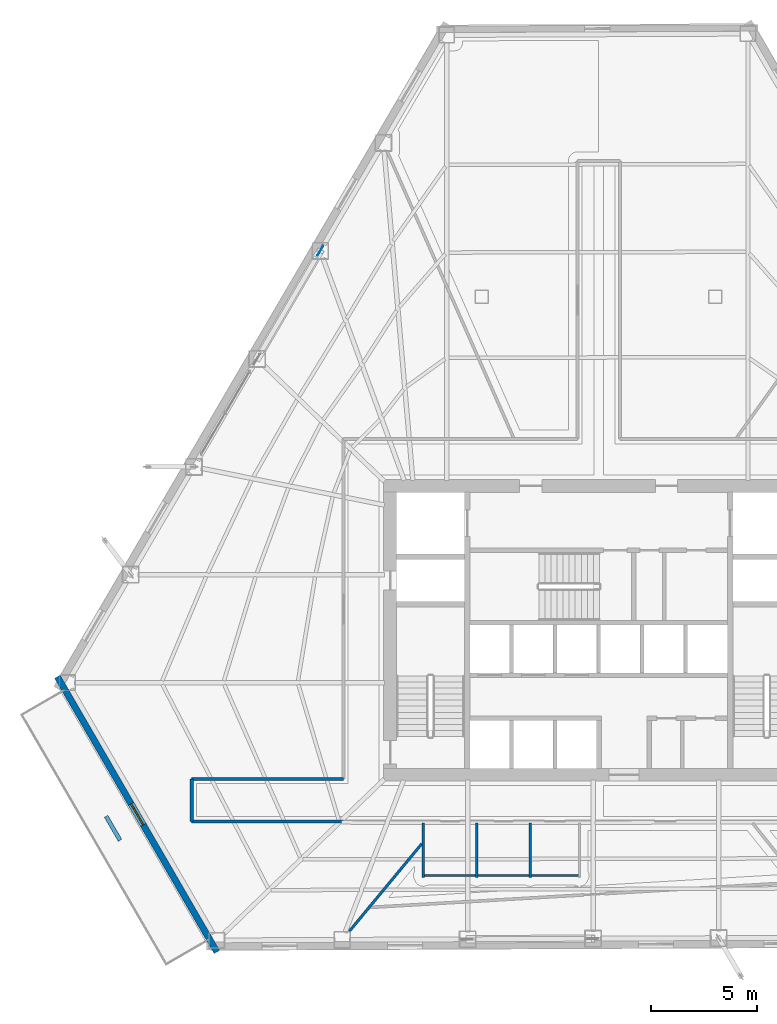
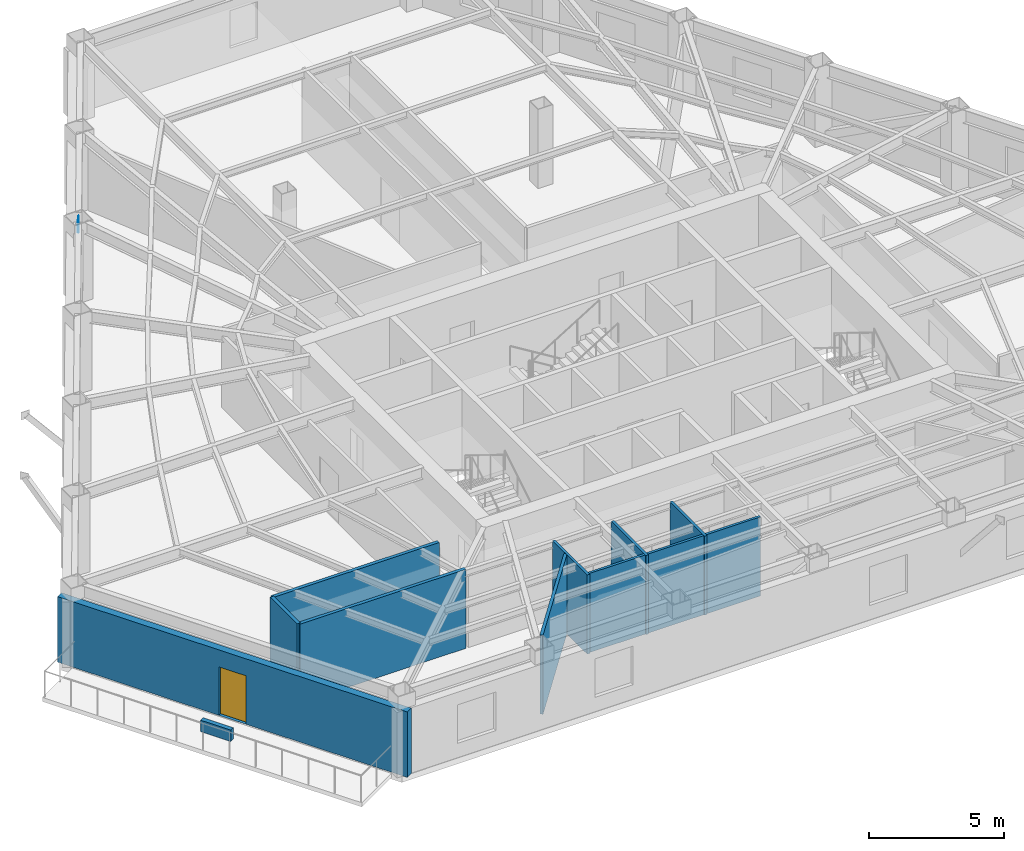
# One storey, part 8 of 15: 10 walls, 1 door, 1 plate, 1 opening.
"""IFC4 building model written with IfcOpenShell, lengths in metres."""

import ifcopenshell
import ifcopenshell.guid

model = None  # the IFC model being written
_history = None  # IfcOwnerHistory: only IFC2X3 demands one
_inside = {}  # id of a spatial element -> (the spatial element, [elements in it])
_under = {}  # id of a project, library or spatial element -> (it, [spatial elements below it])
_declared = {}  # id of a project -> (the project, [libraries it declares])
_typed = {}  # id of a type object -> (the type object, [elements of that type])
_made_of = {}  # id of a material, layer set ... -> (it, [elements and type objects made of it])


def new_model(schema):
    """Start an empty IFC model of exactly this schema.

    Asked for "IFC4X3", IfcOpenShell would pick the latest addendum, in which some entities
    have other attributes; the version numbers below select the first issue.
    IFC2X3 requires an IfcOwnerHistory on every rooted entity: one is made here for all.
    """
    global model, _history
    if schema == "IFC4X3":
        model = ifcopenshell.file(schema_version=(4, 3, 0, 0))
    else:
        model = ifcopenshell.file(schema=schema)
    _inside.clear()
    _under.clear()
    _declared.clear()
    _typed.clear()
    _made_of.clear()
    _history = None
    if model.schema == "IFC2X3":
        org = make("IfcOrganization", Name="unknown")
        user = make(
            "IfcPersonAndOrganization",
            ThePerson=make("IfcPerson", FamilyName="unknown"),
            TheOrganization=org,
        )
        app = make(
            "IfcApplication",
            ApplicationDeveloper=org,
            Version="unknown",
            ApplicationFullName="unknown",
            ApplicationIdentifier="unknown",
        )
        _history = make(
            "IfcOwnerHistory",
            OwningUser=user,
            OwningApplication=app,
            ChangeAction="ADDED",
            CreationDate=0,
        )
    return model


def make(cls, **values):
    """One entity of the class cls with the attributes given. An attribute that is None is left unset."""
    return model.create_entity(
        cls, **{name: value for name, value in values.items() if value is not None}
    )


def rooted(cls, **values):
    """An entity with a GlobalId (a new one), such as an element, a storey or a relation."""
    return make(cls, GlobalId=ifcopenshell.guid.new(), OwnerHistory=_history, **values)


def si_unit(unit_type, name, prefix=None):
    """IfcSIUnit, for example si_unit("LENGTHUNIT", "METRE", prefix="MILLI")."""
    return make("IfcSIUnit", UnitType=unit_type, Prefix=prefix, Name=name)


def assignment(units):
    """IfcUnitAssignment: the units of a project."""
    return None if units is None else make("IfcUnitAssignment", Units=units)


def point(xyz):
    """IfcCartesianPoint."""
    return None if xyz is None else make("IfcCartesianPoint", Coordinates=xyz)


def direction(xyz):
    """IfcDirection."""
    return None if xyz is None else make("IfcDirection", DirectionRatios=xyz)


def frame(location, z_axis=None, x_axis=None):
    """IfcAxis2Placement3D, a coordinate frame: its origin and axes. An axis left out is left unset."""
    return make(
        "IfcAxis2Placement3D",
        Location=point(location),
        Axis=direction(z_axis),
        RefDirection=direction(x_axis),
    )


def frame_2d(location, x_axis=None):
    """IfcAxis2Placement2D, a coordinate frame in the plane: its origin and x axis."""
    return make(
        "IfcAxis2Placement2D", Location=point(location), RefDirection=direction(x_axis)
    )


def origin():
    """The frame at (0, 0, 0) with its axes left unset."""
    return frame((0.0, 0.0, 0.0))


def origin_2d():
    """The frame at (0, 0) in the plane with its x axis left unset."""
    return frame_2d((0.0, 0.0))


def place(relative_to, where):
    """IfcLocalPlacement: puts the frame where relative to a parent placement (None: the world)."""
    return make(
        "IfcLocalPlacement", PlacementRelTo=relative_to, RelativePlacement=where
    )


def context(
    kind, dimensions, precision=None, world=None, true_north=None, identifier=None
):
    """IfcGeometricRepresentationContext, for example the 3D "Model" context."""
    return make(
        "IfcGeometricRepresentationContext",
        ContextIdentifier=identifier,
        ContextType=kind,
        CoordinateSpaceDimension=dimensions,
        Precision=precision,
        WorldCoordinateSystem=world,
        TrueNorth=true_north,
    )


def subcontext(parent, identifier, kind, view, scale=None):
    """IfcGeometricRepresentationSubContext, for example "Body" below "Model"."""
    return make(
        "IfcGeometricRepresentationSubContext",
        ContextIdentifier=identifier,
        ContextType=kind,
        ParentContext=parent,
        TargetScale=scale,
        TargetView=view,
    )


def project(units=None, contexts=None):
    """IfcProject with its units and contexts."""
    return rooted(
        "IfcProject",
        Name="project",
        RepresentationContexts=contexts,
        UnitsInContext=assignment(units),
    )


def spatial(cls, under=None, at=None, **own):
    """A site, building, storey or space (cls), placed at a placement, below another one or the project."""
    s = rooted(cls, ObjectPlacement=at, **own)
    if under is not None:
        _under.setdefault(under.id(), (under, []))[1].append(s)
    return s


def profile(cls, at=None, kind="AREA", **sizes):
    """A parametric profile (cls). Its sizes go by their IFC names, for example OverallWidth=200.0."""
    return make(cls, ProfileType=kind, Position=at, **sizes)


def rectangle(**sizes):
    """IfcRectangleProfileDef."""
    return profile("IfcRectangleProfileDef", **sizes)


def extrude(swept, where, along, depth):
    """IfcExtrudedAreaSolid: the profile swept, set in the frame where, extruded along a direction by depth."""
    return make(
        "IfcExtrudedAreaSolid",
        SweptArea=swept,
        Position=where,
        ExtrudedDirection=direction(along),
        Depth=depth,
    )


def shape(context_of_items, identifier, shape_type, items):
    """IfcShapeRepresentation: the items that make up one representation, for example the "Body"."""
    return make(
        "IfcShapeRepresentation",
        ContextOfItems=context_of_items,
        RepresentationIdentifier=identifier,
        RepresentationType=shape_type,
        Items=items,
    )


def material(Name=None, Category=None):
    """IfcMaterial."""
    return make("IfcMaterial", Name=Name, Category=Category)


def layer(
    of_material, thickness, ventilated=None, Name=None, Category=None, Priority=None
):
    """IfcMaterialLayer: one layer of a wall or slab, of a material (None: an air gap)."""
    return make(
        "IfcMaterialLayer",
        Material=of_material,
        LayerThickness=thickness,
        IsVentilated=ventilated,
        Name=Name,
        Category=Category,
        Priority=Priority,
    )


def layer_set(layers, Name=None):
    """IfcMaterialLayerSet."""
    return make("IfcMaterialLayerSet", MaterialLayers=layers, LayerSetName=Name)


def made_of(thing, what):
    """Note that an element or type object is made of a material, layer set ...; save() writes the relation."""
    if what is not None:
        _made_of.setdefault(what.id(), (what, []))[1].append(thing)
    return thing


def type_object(cls, material=None, **own):
    """A type object (cls), such as IfcWallType, which elements share."""
    return made_of(rooted(cls, **own), material)


def element(
    cls,
    number,
    at=None,
    inside=None,
    cuts=None,
    type_object=None,
    material=None,
    context=None,
    identifier="Body",
    shape_type=None,
    held_by="IfcProductDefinitionShape",
    body=None,
    shapes=None,
    **own,
):
    """One element of the class cls, such as IfcWall. Its Tag is "e" and its number.

    at: its placement. inside: the storey or other place that contains it. cuts: it is an
    opening in that element (IfcRelVoidsElement). A single representation is given by context,
    identifier, shape_type and body (its items); several are given by shapes. held_by: the class
    of the entity that holds the representations. save() writes the other relations.
    """
    e = rooted(cls, Tag="e%d" % number, ObjectPlacement=at, **own)
    if body is not None:
        shapes = [shape(context, identifier, shape_type, body)]
    if shapes is not None:
        e.Representation = make(held_by, Representations=shapes)
    if inside is not None:
        _inside.setdefault(inside.id(), (inside, []))[1].append(e)
    if cuts is not None:
        rooted(
            "IfcRelVoidsElement", RelatingBuildingElement=cuts, RelatedOpeningElement=e
        )
    if type_object is not None:
        _typed.setdefault(type_object.id(), (type_object, []))[1].append(e)
    return made_of(e, material)


def fill(opening, filler):
    """IfcRelFillsElement: the door or window that sits in an opening."""
    return rooted(
        "IfcRelFillsElement",
        RelatingOpeningElement=opening,
        RelatedBuildingElement=filler,
    )


def aggregate(whole, parts):
    """IfcRelAggregates: a whole, such as a stair, and the parts it consists of."""
    return rooted("IfcRelAggregates", RelatingObject=whole, RelatedObjects=parts)


def save(model, path):
    """Write the relations noted so far, then the file.

    IfcRelAggregates (storeys below a building ...), IfcRelContainedInSpatialStructure (elements
    in a storey), IfcRelDefinesByType, IfcRelAssociatesMaterial and IfcRelDeclares: one each for
    every whole, place, type object, material and project.
    """
    for whole, parts in _under.values():
        aggregate(whole, parts)
    for where, things in _inside.values():
        rooted(
            "IfcRelContainedInSpatialStructure",
            RelatedElements=things,
            RelatingStructure=where,
        )
    for kind, things in _typed.values():
        rooted("IfcRelDefinesByType", RelatedObjects=things, RelatingType=kind)
    for what, things in _made_of.values():
        rooted("IfcRelAssociatesMaterial", RelatedObjects=things, RelatingMaterial=what)
    for by, libraries in _declared.values():
        rooted("IfcRelDeclares", RelatingContext=by, RelatedDefinitions=libraries)
    model.write(path)


model = new_model("IFC4")

# Units and contexts
model_context = context("Model", 3, precision=1e-05, world=origin(), true_north=direction((0.0, 1.0)))
body_context = subcontext(model_context, "Body", "Model", "MODEL_VIEW")
ifc_project = project(units=[si_unit("LENGTHUNIT", "METRE"), si_unit("AREAUNIT", "SQUARE_METRE"), si_unit("VOLUMEUNIT", "CUBIC_METRE"), si_unit("PLANEANGLEUNIT", "RADIAN"), si_unit("MASSUNIT", "GRAM", prefix="KILO")], contexts=[model_context])

# Site, building, storey
site_placement = place(None, origin())
site = spatial("IfcSite", under=ifc_project, at=site_placement, CompositionType="ELEMENT")
building_placement = place(site_placement, origin())
building = spatial("IfcBuilding", under=site, at=building_placement, Name="Kavelnor Concourse Tower", CompositionType="ELEMENT")
storey_placement = place(building_placement, frame((0.0, 0.0, 67.60009765625)))
storey = spatial("IfcBuildingStorey", under=building, at=storey_placement, Name="L17", CompositionType="ELEMENT", Elevation=67.60009765625)

# Plate
ifc_material_1 = material(Name="Steel Grade 350", Category="steel")
ifc_layer_1 = layer(ifc_material_1, 0.031982421875, Name="Steel Grade 350")
ifc_layer_set_1 = layer_set([ifc_layer_1], Name="Steel Grade 350")
plate_type = type_object("IfcPlateType", Name="PL-GUSSET-TUBE-Z1", PredefinedType="USERDEFINED", material=ifc_layer_set_1)
plate_placement = place(storey_placement, frame((24.900146484375, 33.97509765625, 3.073974609375), z_axis=(0.0, 0.0, 1.0), x_axis=(0.505280886365, 0.862954938496, 0.0)))
element("IfcPlate", 1, at=plate_placement, inside=storey, type_object=plate_type, Name="L17 Tube Brace Gusset GP3 F0-B2 End Gusset B", ObjectType="GUSSET_PLATE", PredefinedType="USERDEFINED", context=body_context, shape_type="SweptSolid", body=[
    extrude(rectangle(XDim=0.52001953125, YDim=0.031982421875, at=origin_2d()), origin(), (0.0, 0.0, 1.0), 0.419921875),
])

# Wall, opening, door
ifc_material_2 = material(Name="Buff ironspot clay face brick masonry", Category="masonry")
ifc_layer_2 = layer(ifc_material_2, 0.300048828125, Name="Buff ironspot clay face brick masonry")
ifc_layer_set_2 = layer_set([ifc_layer_2], Name="Buff ironspot clay face brick masonry")
wall_type_1 = type_object("IfcWallType", Name="WL-EXT-BUFF-BRICK-FOLD-300", PredefinedType="STANDARD", material=ifc_layer_set_2)
wall_1_placement = place(storey_placement, frame((20.02880859375, 0.948486328125, 0.0), z_axis=(0.0, 0.0, 1.0), x_axis=(-0.501444015868, 0.865190094112, 0.0)))
wall_1 = element("IfcWall", 2, at=wall_1_placement, inside=storey, type_object=wall_type_1, Name="L17 Exterior Brick Facade Wall E2", PredefinedType="STANDARD", context=body_context, shape_type="SweptSolid", body=[
    extrude(rectangle(XDim=14.985595703125, YDim=0.300048828125, at=frame_2d((7.49267578125, 0.0))), origin(), (0.0, 0.0, 1.0), 2.969970703125),
])
opening_placement = place(wall_1_placement, frame((6.91796875, 0.0, 0.0)))
opening = element("IfcOpeningElement", 3, at=opening_placement, cuts=wall_1, Name="Opening TD-115", PredefinedType="OPENING", context=body_context, shape_type="SweptSolid", body=[
    extrude(rectangle(XDim=1.14990234375, YDim=2.199951171875, at=frame_2d((0.574951171875, 1.10009765625))), frame((0.0, 0.16015625, 0.0), z_axis=(0.0, -1.0, 0.0), x_axis=(1.0, 0.0, 0.0)), (0.0, 0.0, 1.0), 0.320068359375),
])
ifc_material_3 = material(Name="Anodised aluminium 6063-T6", Category="aluminium")
door_type = type_object("IfcDoorType", Name="DR-TERRACE-EXT-1150", OperationType="NOTDEFINED", PredefinedType="DOOR", material=ifc_material_3)
door_placement = place(opening_placement, origin())
door = element("IfcDoor", 4, at=door_placement, inside=storey, type_object=door_type, Name="L17 Spiral Sky Terrace Access Door", OperationType="SINGLE_SWING_RIGHT", OverallHeight=2.199951171875, OverallWidth=1.14990234375, PredefinedType="DOOR", context=body_context, shape_type="SweptSolid", body=[
    extrude(rectangle(XDim=1.14990234375, YDim=2.199951171875, at=frame_2d((0.574951171875, 1.10009765625))), frame((0.0, 0.02490234375, 0.0), z_axis=(0.0, -1.0, 0.0), x_axis=(1.0, 0.0, 0.0)), (0.0, 0.0, 1.0), 0.050048828125),
])
fill(opening, door)

# Walls
ifc_material_4 = material(Name="Gypsum plasterboard on light-gauge steel studs", Category="steel")
ifc_layer_3 = layer(ifc_material_4, 0.14501953125, Name="Gypsum plasterboard on light-gauge steel studs")
ifc_layer_set_3 = layer_set([ifc_layer_3], Name="Gypsum plasterboard on light-gauge steel studs")
wall_type_2 = type_object("IfcWallType", Name="WL-INT-CORR-145", PredefinedType="PARTITIONING", material=ifc_layer_set_3)
for number, where, z_axis, x_axis, name in (
    (5, (18.841064453125, 9.10009765625, 0.0), (0.0, 0.0, 1.0), (1.0, 0.0, 0.0), "L17 Corridor Wall WL-L17-CR-01"),
    (6, (25.97998046875, 7.10009765625, 0.0), (0.0, 0.0, 1.0), (-1.0, 0.0, 0.0), "L17 Corridor Wall WL-L17-CR-13"),
):
    element("IfcWall", number, at=place(storey_placement, frame(where, z_axis=z_axis, x_axis=x_axis)), inside=storey, type_object=wall_type_2, Name=name, PredefinedType="PARTITIONING", context=body_context, shape_type="SweptSolid", body=[
        extrude(rectangle(XDim=7.138916015625, YDim=0.14501953125, at=frame_2d((3.5693359375, 0.0))), origin(), (0.0, 0.0, 1.0), 3.58984375),
    ])
wall_2_placement = place(storey_placement, frame((18.841064453125, 7.10009765625, 0.0), z_axis=(0.0, 0.0, 1.0), x_axis=(0.0, 1.0, 0.0)))
element("IfcWall", 7, at=wall_2_placement, inside=storey, type_object=wall_type_2, Name="L17 Corridor Wall WL-L17-CR-14", PredefinedType="PARTITIONING", context=body_context, shape_type="SweptSolid", body=[
    extrude(rectangle(XDim=2.0, YDim=0.14501953125, at=frame_2d((1.0, 0.0))), origin(), (0.0, 0.0, 1.0), 3.58984375),
])
ifc_layer_4 = layer(ifc_material_4, 0.125, Name="Gypsum plasterboard on light-gauge steel studs")
ifc_layer_set_4 = layer_set([ifc_layer_4], Name="Gypsum plasterboard on light-gauge steel studs")
wall_type_3 = type_object("IfcWallType", Name="WL-INT-SUITE-125", PredefinedType="PARTITIONING", material=ifc_layer_set_4)
wall_3_placement = place(storey_placement, frame((29.677001953125, 6.048828125, 0.0), z_axis=(0.0, 0.0, 1.0), x_axis=(-0.637795767438, -0.770205530386, 0.0)))
element("IfcWall", 8, at=wall_3_placement, inside=storey, type_object=wall_type_3, Name="L17 Radial Suite Partition 04", PredefinedType="PARTITIONING", context=body_context, shape_type="SweptSolid", body=[
    extrude(rectangle(XDim=5.34521484375, YDim=0.125, at=frame_2d((2.672607421875, 0.0))), origin(), (0.0, 0.0, 1.0), 3.58984375),
])
ifc_layer_5 = layer(ifc_material_4, 0.110107421875, Name="Gypsum plasterboard on light-gauge steel studs")
ifc_layer_set_5 = layer_set([ifc_layer_5], Name="Gypsum plasterboard on light-gauge steel studs")
wall_type_4 = type_object("IfcWallType", Name="WL-INT-WC-110", PredefinedType="PLUMBINGWALL", material=ifc_layer_set_5)
for number, where, z_axis, x_axis, name in (
    (9, (29.739990234375, 4.449951171875, 0.0), (0.0, 0.0, 1.0), (0.0, 1.0, 0.0), "L17 Sanitary Partition WL-L17-WC-W"),
    (10, (32.260009765625, 4.449951171875, 0.0), (0.0, 0.0, 1.0), (0.0, 1.0, 0.0), "L17 Sanitary Partition WL-L17-WC-D1"),
    (11, (34.780029296875, 4.449951171875, 0.0), (0.0, 0.0, 1.0), (0.0, 1.0, 0.0), "L17 Sanitary Partition WL-L17-WC-D2"),
):
    element("IfcWall", number, at=place(storey_placement, frame(where, z_axis=z_axis, x_axis=x_axis)), inside=storey, type_object=wall_type_4, Name=name, PredefinedType="PLUMBINGWALL", context=body_context, shape_type="SweptSolid", body=[
        extrude(rectangle(XDim=2.580078125, YDim=0.110107421875, at=frame_2d((1.2900390625, 0.0))), origin(), (0.0, 0.0, 1.0), 3.58984375),
    ])
wall_4_placement = place(storey_placement, frame((29.68994140625, 4.550048828125, 0.0), z_axis=(0.0, 0.0, 1.0), x_axis=(1.0, 0.0, 0.0)))
element("IfcWall", 12, at=wall_4_placement, inside=storey, type_object=wall_type_4, Name="L17 Sanitary Partition WL-L17-WC-S", PredefinedType="PLUMBINGWALL", context=body_context, shape_type="SweptSolid", body=[
    extrude(rectangle(XDim=7.4599609375, YDim=0.110107421875, at=frame_2d((3.72998046875, 0.0))), origin(), (0.0, 0.0, 1.0), 3.58984375),
])
ifc_material_5 = material(Name="Architectural precast planter concrete C40/50", Category="concrete")
ifc_layer_6 = layer(ifc_material_5, 0.18994140625, Name="Architectural precast planter concrete C40/50")
ifc_layer_set_6 = layer_set([ifc_layer_6], Name="Architectural precast planter concrete C40/50")
wall_type_5 = type_object("IfcWallType", Name="WL-PLANTER-KERB-190", PredefinedType="USERDEFINED", material=ifc_layer_set_6)
wall_5_placement = place(storey_placement, frame((14.812255859375, 7.336669921875, 0.0), z_axis=(0.0, 0.0, 1.0), x_axis=(0.501428575007, -0.865199043092, 0.0)))
element("IfcWall", 13, at=wall_5_placement, inside=storey, type_object=wall_type_5, Name="L17 Spiral Terrace Landscaped Planter Kerb", ObjectType="PLANTER", PredefinedType="USERDEFINED", context=body_context, shape_type="SweptSolid", body=[
    extrude(rectangle(XDim=1.300048828125, YDim=0.18994140625, at=frame_2d((0.64990234375, 0.0))), origin(), (0.0, 0.0, 1.0), 0.52001953125),
])

save(model, "model.ifc")
